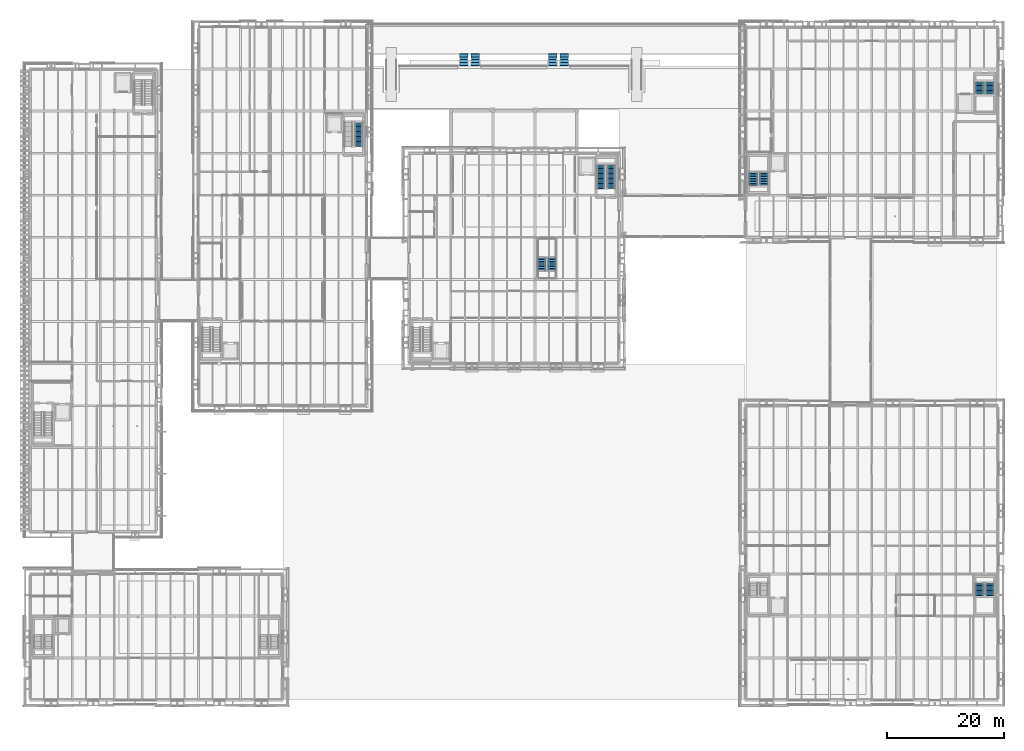
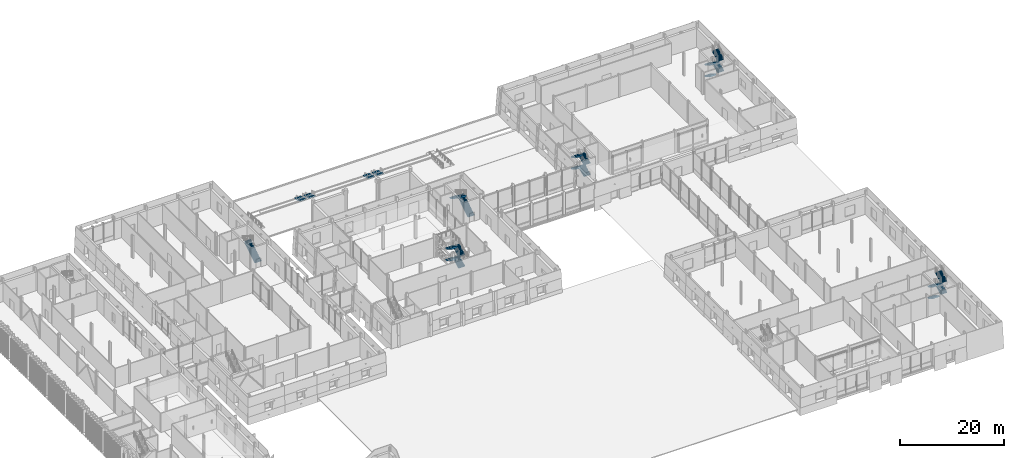
# One storey, part 84 of 120: 23 stair flights, 10 elements without a shape of their own.
"""IFC4 building model written with IfcOpenShell, lengths in metres."""

from ifc_helpers import new_model, si_unit, direction, frame, origin, place, context, subcontext, project, spatial, polyline, outline, extrude, material, type_object, element, aggregate, save


model = new_model("IFC4")

# Units and contexts
model_context = context("Model", 3, precision=1e-05, world=origin(), true_north=direction((0.0, 1.0)))
body_context = subcontext(model_context, "Body", "Model", "MODEL_VIEW")
ifc_project = project(units=[si_unit("LENGTHUNIT", "METRE"), si_unit("AREAUNIT", "SQUARE_METRE"), si_unit("VOLUMEUNIT", "CUBIC_METRE"), si_unit("PLANEANGLEUNIT", "RADIAN"), si_unit("MASSUNIT", "GRAM", prefix="KILO")], contexts=[model_context])

# Site, building, storey
site_placement = place(None, origin())
site = spatial("IfcSite", under=ifc_project, at=site_placement, CompositionType="ELEMENT")
building_placement = place(site_placement, origin())
building = spatial("IfcBuilding", under=site, at=building_placement, Name="Narikvali Park Central Library", CompositionType="ELEMENT")
storey_placement = place(building_placement, origin())
storey = spatial("IfcBuildingStorey", under=building, at=storey_placement, Name="L00", CompositionType="ELEMENT", Elevation=0.0)

# Stair, stair flights
ifc_material_1 = material(Name="Precast Terrazzo Concrete C40/50", Category="concrete")
stair_type_1 = type_object("IfcStairType", Name="Monumental Reading Room Feature Stair", PredefinedType="HALF_TURN_STAIR", material=ifc_material_1)
stair_1_placement = place(storey_placement, origin())
stair_1 = element("IfcStair", 1, at=stair_1_placement, inside=storey, type_object=stair_type_1, Name="L00 Monumental Reading Room Stair ST-13", PredefinedType="HALF_TURN_STAIR")
ifc_material_2 = material(Name="Precast concrete C40/50", Category="concrete")
stair_flight_type_1 = type_object("IfcStairFlightType", Name="Monumental Feature Stair Flight 1400", PredefinedType="STRAIGHT", material=ifc_material_2)
stair_flight_1_placement = place(storey_placement, frame((89.300048828125, 73.60009765625, 0.0), z_axis=(0.0, 0.0, 1.0), x_axis=(0.0, 1.0, 0.0)))
stair_flight_1 = element("IfcStairFlight", 2, at=stair_flight_1_placement, type_object=stair_flight_type_1, Name="ST-13 flight 1", NumberOfRisers=8, NumberOfTreads=7, PredefinedType="STRAIGHT", RiserHeight=0.16875, TreadLength=0.295, context=body_context, shape_type="SweptSolid", body=[
    extrude(outline(polyline([(-0.0400390625, -0.02490234375), (-0.0400390625, 0.0), (0.0, 0.0), (0.0, 0.168701171875), (0.294921875, 0.168701171875), (0.294921875, 0.33740234375), (0.590087890625, 0.33740234375), (0.590087890625, 0.50634765625), (0.885009765625, 0.50634765625), (0.885009765625, 0.675048828125), (1.179931640625, 0.675048828125), (1.179931640625, 0.84375), (1.47509765625, 0.84375), (1.47509765625, 1.012451171875), (1.77001953125, 1.012451171875), (1.77001953125, 1.18115234375), (2.06494140625, 1.18115234375), (2.06494140625, 1.35009765625), (2.110107421875, 1.35009765625), (2.110107421875, 0.950927734375), (2.06494140625, 0.950927734375), (0.402587890625, -0.02490234375), (-0.0400390625, -0.02490234375)])), frame((0.0, 0.699951171875, 0.0), z_axis=(0.0, -1.0, 0.0), x_axis=(1.0, 0.0, 0.0)), (0.0, 0.0, 1.0), 1.39990234375),
])
stair_flight_2_placement = place(storey_placement, frame((87.550048828125, 75.6650390625, 1.35009765625), z_axis=(0.0, 0.0, 1.0), x_axis=(0.0, -1.0, 0.0)))
stair_flight_2 = element("IfcStairFlight", 3, at=stair_flight_2_placement, type_object=stair_flight_type_1, Name="ST-13 flight 2", NumberOfRisers=8, NumberOfTreads=7, PredefinedType="STRAIGHT", RiserHeight=0.16875, TreadLength=0.295, context=body_context, shape_type="SweptSolid", body=[
    extrude(outline(polyline([(-0.0400390625, -0.02490234375), (-0.0400390625, 0.0), (0.0, 0.0), (0.0, 0.168701171875), (0.294921875, 0.168701171875), (0.294921875, 0.33740234375), (0.590087890625, 0.33740234375), (0.590087890625, 0.50634765625), (0.885009765625, 0.50634765625), (0.885009765625, 0.675048828125), (1.179931640625, 0.675048828125), (1.179931640625, 0.84375), (1.47509765625, 0.84375), (1.47509765625, 1.012451171875), (1.77001953125, 1.012451171875), (1.77001953125, 1.18115234375), (2.06494140625, 1.18115234375), (2.06494140625, 1.35009765625), (2.110107421875, 1.35009765625), (2.110107421875, 0.950927734375), (2.06494140625, 0.950927734375), (0.402587890625, -0.02490234375), (-0.0400390625, -0.02490234375)])), frame((0.0, 0.699951171875, 0.0), z_axis=(0.0, -1.0, 0.0), x_axis=(1.0, 0.0, 0.0)), (0.0, 0.0, 1.0), 1.39990234375),
])
stair_flight_3_placement = place(storey_placement, frame((89.300048828125, 73.60009765625, 2.699951171875), z_axis=(0.0, 0.0, 1.0), x_axis=(0.0, 1.0, 0.0)))
stair_flight_3 = element("IfcStairFlight", 4, at=stair_flight_3_placement, type_object=stair_flight_type_1, Name="ST-13 flight 3", NumberOfRisers=8, NumberOfTreads=7, PredefinedType="STRAIGHT", RiserHeight=0.16875, TreadLength=0.295, context=body_context, shape_type="SweptSolid", body=[
    extrude(outline(polyline([(-0.0400390625, -0.02490234375), (-0.0400390625, 0.0), (0.0, 0.0), (0.0, 0.168701171875), (0.294921875, 0.168701171875), (0.294921875, 0.33740234375), (0.590087890625, 0.33740234375), (0.590087890625, 0.50634765625), (0.885009765625, 0.50634765625), (0.885009765625, 0.675048828125), (1.179931640625, 0.675048828125), (1.179931640625, 0.84375), (1.47509765625, 0.84375), (1.47509765625, 1.012451171875), (1.77001953125, 1.012451171875), (1.77001953125, 1.18115234375), (2.06494140625, 1.18115234375), (2.06494140625, 1.35009765625), (2.110107421875, 1.35009765625), (2.110107421875, 0.950927734375), (2.06494140625, 0.950927734375), (0.402587890625, -0.02490234375), (-0.0400390625, -0.02490234375)])), frame((0.0, 0.699951171875, 0.0), z_axis=(0.0, -1.0, 0.0), x_axis=(1.0, 0.0, 0.0)), (0.0, 0.0, 1.0), 1.39990234375),
])
stair_flight_4_placement = place(storey_placement, frame((87.550048828125, 75.6650390625, 4.050048828125), z_axis=(0.0, 0.0, 1.0), x_axis=(0.0, -1.0, 0.0)))
stair_flight_4 = element("IfcStairFlight", 5, at=stair_flight_4_placement, type_object=stair_flight_type_1, Name="ST-13 flight 4", NumberOfRisers=8, NumberOfTreads=7, PredefinedType="STRAIGHT", RiserHeight=0.16875, TreadLength=0.295, context=body_context, shape_type="SweptSolid", body=[
    extrude(outline(polyline([(-0.0400390625, -0.02490234375), (-0.0400390625, 0.0), (0.0, 0.0), (0.0, 0.168701171875), (0.294921875, 0.168701171875), (0.294921875, 0.33740234375), (0.590087890625, 0.33740234375), (0.590087890625, 0.50634765625), (0.885009765625, 0.50634765625), (0.885009765625, 0.675048828125), (1.179931640625, 0.675048828125), (1.179931640625, 0.84375), (1.47509765625, 0.84375), (1.47509765625, 1.012451171875), (1.77001953125, 1.012451171875), (1.77001953125, 1.18115234375), (2.06494140625, 1.18115234375), (2.06494140625, 1.35009765625), (2.110107421875, 1.35009765625), (2.110107421875, 0.950927734375), (2.06494140625, 0.950927734375), (0.402587890625, -0.02490234375), (-0.0400390625, -0.02490234375)])), frame((0.0, 0.699951171875, 0.0), z_axis=(0.0, -1.0, 0.0), x_axis=(1.0, 0.0, 0.0)), (0.0, 0.0, 1.0), 1.39990234375),
])
aggregate(stair_1, [stair_flight_1, stair_flight_2, stair_flight_3, stair_flight_4])

# Stair, stair flight
ifc_material_3 = material(Name="Bush-Hammered White Limestone over Concrete C40/50", Category="masonry")
stair_type_2 = type_object("IfcStairType", Name="Monumental Forecourt Stone Entrance Stair 1440", PredefinedType="STRAIGHT_RUN_STAIR", material=ifc_material_3)
stair_2_placement = place(storey_placement, origin())
stair_2 = element("IfcStair", 6, at=stair_2_placement, inside=storey, type_object=stair_type_2, Name="Monumental Forecourt West Outer Entrance Stair ST-14", PredefinedType="STRAIGHT_RUN_STAIR")
stair_flight_type_2 = type_object("IfcStairFlightType", Name="Monumental Forecourt Stone Stair Flight 1440", PredefinedType="STRAIGHT", material=ifc_material_3)
stair_flight_5_placement = place(storey_placement, frame((74.199951171875, 110.580078125, -0.72509765625), z_axis=(0.0, 0.0, 1.0), x_axis=(0.0, -1.0, 0.0)))
stair_flight_5 = element("IfcStairFlight", 7, at=stair_flight_5_placement, type_object=stair_flight_type_2, Name="ST-14 flight 1", NumberOfRisers=5, NumberOfTreads=4, PredefinedType="STRAIGHT", RiserHeight=0.145, TreadLength=0.5, context=body_context, shape_type="SweptSolid", body=[
    extrude(outline(polyline([(-0.0400390625, -0.02490234375), (-0.0400390625, 0.0), (0.0, 0.0), (0.0, 0.14501953125), (0.5, 0.14501953125), (0.5, 0.2900390625), (1.0, 0.2900390625), (1.0, 0.43505859375), (1.5, 0.43505859375), (1.5, 0.580078125), (2.0, 0.580078125), (2.0, 0.72509765625), (2.044921875, 0.72509765625), (2.044921875, 0.434326171875), (2.0, 0.434326171875), (0.502197265625, -0.02490234375), (-0.0400390625, -0.02490234375)])), frame((0.0, 0.719970703125, 0.0), z_axis=(0.0, -1.0, 0.0), x_axis=(1.0, 0.0, 0.0)), (0.0, 0.0, 1.0), 1.43994140625),
])
aggregate(stair_2, [stair_flight_5])

stair_3_placement = place(storey_placement, origin())
stair_3 = element("IfcStair", 8, at=stair_3_placement, inside=storey, type_object=stair_type_2, Name="Monumental Forecourt West Inner Entrance Stair ST-15", PredefinedType="STRAIGHT_RUN_STAIR")
stair_flight_6_placement = place(storey_placement, frame((76.199951171875, 110.580078125, -0.72509765625), z_axis=(0.0, 0.0, 1.0), x_axis=(0.0, -1.0, 0.0)))
stair_flight_6 = element("IfcStairFlight", 9, at=stair_flight_6_placement, type_object=stair_flight_type_2, Name="ST-15 flight 1", NumberOfRisers=5, NumberOfTreads=4, PredefinedType="STRAIGHT", RiserHeight=0.145, TreadLength=0.5, context=body_context, shape_type="SweptSolid", body=[
    extrude(outline(polyline([(-0.0400390625, -0.02490234375), (-0.0400390625, 0.0), (0.0, 0.0), (0.0, 0.14501953125), (0.5, 0.14501953125), (0.5, 0.2900390625), (1.0, 0.2900390625), (1.0, 0.43505859375), (1.5, 0.43505859375), (1.5, 0.580078125), (2.0, 0.580078125), (2.0, 0.72509765625), (2.044921875, 0.72509765625), (2.044921875, 0.434326171875), (2.0, 0.434326171875), (0.502197265625, -0.02490234375), (-0.0400390625, -0.02490234375)])), frame((0.0, 0.719970703125, 0.0), z_axis=(0.0, -1.0, 0.0), x_axis=(1.0, 0.0, 0.0)), (0.0, 0.0, 1.0), 1.43994140625),
])
aggregate(stair_3, [stair_flight_6])

stair_4_placement = place(storey_placement, origin())
stair_4 = element("IfcStair", 10, at=stair_4_placement, inside=storey, type_object=stair_type_2, Name="Monumental Forecourt East Inner Entrance Stair ST-16", PredefinedType="STRAIGHT_RUN_STAIR")
stair_flight_7_placement = place(storey_placement, frame((89.39990234375, 110.580078125, -0.72509765625), z_axis=(0.0, 0.0, 1.0), x_axis=(0.0, -1.0, 0.0)))
stair_flight_7 = element("IfcStairFlight", 11, at=stair_flight_7_placement, type_object=stair_flight_type_2, Name="ST-16 flight 1", NumberOfRisers=5, NumberOfTreads=4, PredefinedType="STRAIGHT", RiserHeight=0.145, TreadLength=0.5, context=body_context, shape_type="SweptSolid", body=[
    extrude(outline(polyline([(-0.0400390625, -0.02490234375), (-0.0400390625, 0.0), (0.0, 0.0), (0.0, 0.14501953125), (0.5, 0.14501953125), (0.5, 0.2900390625), (1.0, 0.2900390625), (1.0, 0.43505859375), (1.5, 0.43505859375), (1.5, 0.580078125), (2.0, 0.580078125), (2.0, 0.72509765625), (2.044921875, 0.72509765625), (2.044921875, 0.434326171875), (2.0, 0.434326171875), (0.502197265625, -0.02490234375), (-0.0400390625, -0.02490234375)])), frame((0.0, 0.719970703125, 0.0), z_axis=(0.0, -1.0, 0.0), x_axis=(1.0, 0.0, 0.0)), (0.0, 0.0, 1.0), 1.43994140625),
])
aggregate(stair_4, [stair_flight_7])

stair_5_placement = place(storey_placement, origin())
stair_5 = element("IfcStair", 12, at=stair_5_placement, inside=storey, type_object=stair_type_2, Name="Monumental Forecourt East Outer Entrance Stair ST-17", PredefinedType="STRAIGHT_RUN_STAIR")
stair_flight_8_placement = place(storey_placement, frame((91.39990234375, 110.580078125, -0.72509765625), z_axis=(0.0, 0.0, 1.0), x_axis=(0.0, -1.0, 0.0)))
stair_flight_8 = element("IfcStairFlight", 13, at=stair_flight_8_placement, type_object=stair_flight_type_2, Name="ST-17 flight 1", NumberOfRisers=5, NumberOfTreads=4, PredefinedType="STRAIGHT", RiserHeight=0.145, TreadLength=0.5, context=body_context, shape_type="SweptSolid", body=[
    extrude(outline(polyline([(-0.0400390625, -0.02490234375), (-0.0400390625, 0.0), (0.0, 0.0), (0.0, 0.14501953125), (0.5, 0.14501953125), (0.5, 0.2900390625), (1.0, 0.2900390625), (1.0, 0.43505859375), (1.5, 0.43505859375), (1.5, 0.580078125), (2.0, 0.580078125), (2.0, 0.72509765625), (2.044921875, 0.72509765625), (2.044921875, 0.434326171875), (2.0, 0.434326171875), (0.502197265625, -0.02490234375), (-0.0400390625, -0.02490234375)])), frame((0.0, 0.719970703125, 0.0), z_axis=(0.0, -1.0, 0.0), x_axis=(1.0, 0.0, 0.0)), (0.0, 0.0, 1.0), 1.43994140625),
])
aggregate(stair_5, [stair_flight_8])

# Stair, stair flights
ifc_material_4 = material(Name="Concrete C35/45", Category="concrete")
stair_type_3 = type_object("IfcStairType", Name="Core Enclosed Two-Flight Exit Stair", PredefinedType="HALF_TURN_STAIR", material=ifc_material_4)
stair_6_placement = place(storey_placement, origin())
stair_6 = element("IfcStair", 14, at=stair_6_placement, inside=storey, type_object=stair_type_3, Name="L00 Exit Stair ST-02", PredefinedType="HALF_TURN_STAIR")
stair_flight_type_3 = type_object("IfcStairFlightType", Name="Precast Concrete Stair Flight 1420", PredefinedType="STRAIGHT", material=ifc_material_2)
stair_flight_9_placement = place(storey_placement, frame((99.43994140625, 87.550048828125, 0.0), z_axis=(0.0, 0.0, 1.0), x_axis=(0.0, 1.0, 0.0)))
stair_flight_9 = element("IfcStairFlight", 15, at=stair_flight_9_placement, type_object=stair_flight_type_3, Name="ST-02 flight 1", NumberOfRisers=15, NumberOfTreads=14, PredefinedType="STRAIGHT", RiserHeight=0.18, TreadLength=0.285, context=body_context, shape_type="SweptSolid", body=[
    extrude(outline(polyline([(-0.0400390625, -0.02490234375), (-0.0400390625, 0.0), (0.0, 0.0), (0.0, 0.179931640625), (0.284912109375, 0.179931640625), (0.284912109375, 0.360107421875), (0.570068359375, 0.360107421875), (0.570068359375, 0.5400390625), (0.85498046875, 0.5400390625), (0.85498046875, 0.719970703125), (1.139892578125, 0.719970703125), (1.139892578125, 0.89990234375), (1.425048828125, 0.89990234375), (1.425048828125, 1.080078125), (1.7099609375, 1.080078125), (1.7099609375, 1.260009765625), (1.9951171875, 1.260009765625), (1.9951171875, 1.43994140625), (2.280029296875, 1.43994140625), (2.280029296875, 1.6201171875), (2.56494140625, 1.6201171875), (2.56494140625, 1.800048828125), (2.85009765625, 1.800048828125), (2.85009765625, 1.97998046875), (3.135009765625, 1.97998046875), (3.135009765625, 2.159912109375), (3.419921875, 2.159912109375), (3.419921875, 2.340087890625), (3.705078125, 2.340087890625), (3.705078125, 2.52001953125), (3.989990234375, 2.52001953125), (3.989990234375, 2.699951171875), (4.034912109375, 2.699951171875), (4.034912109375, 2.30712890625), (3.989990234375, 2.30712890625), (0.3369140625, -0.02490234375), (-0.0400390625, -0.02490234375)])), frame((0.0, 0.7099609375, 0.0), z_axis=(0.0, -1.0, 0.0), x_axis=(1.0, 0.0, 0.0)), (0.0, 0.0, 1.0), 1.419921875),
])
stair_flight_10_placement = place(storey_placement, frame((97.659912109375, 91.5400390625, 2.699951171875), z_axis=(0.0, 0.0, 1.0), x_axis=(0.0, -1.0, 0.0)))
stair_flight_10 = element("IfcStairFlight", 16, at=stair_flight_10_placement, type_object=stair_flight_type_3, Name="ST-02 flight 2", NumberOfRisers=15, NumberOfTreads=14, PredefinedType="STRAIGHT", RiserHeight=0.18, TreadLength=0.285, context=body_context, shape_type="SweptSolid", body=[
    extrude(outline(polyline([(-0.0400390625, -0.02490234375), (-0.0400390625, 0.0), (0.0, 0.0), (0.0, 0.179931640625), (0.284912109375, 0.179931640625), (0.284912109375, 0.360107421875), (0.570068359375, 0.360107421875), (0.570068359375, 0.5400390625), (0.85498046875, 0.5400390625), (0.85498046875, 0.719970703125), (1.139892578125, 0.719970703125), (1.139892578125, 0.89990234375), (1.425048828125, 0.89990234375), (1.425048828125, 1.080078125), (1.7099609375, 1.080078125), (1.7099609375, 1.260009765625), (1.9951171875, 1.260009765625), (1.9951171875, 1.43994140625), (2.280029296875, 1.43994140625), (2.280029296875, 1.6201171875), (2.56494140625, 1.6201171875), (2.56494140625, 1.800048828125), (2.85009765625, 1.800048828125), (2.85009765625, 1.97998046875), (3.135009765625, 1.97998046875), (3.135009765625, 2.159912109375), (3.419921875, 2.159912109375), (3.419921875, 2.340087890625), (3.705078125, 2.340087890625), (3.705078125, 2.52001953125), (3.989990234375, 2.52001953125), (3.989990234375, 2.699951171875), (4.034912109375, 2.699951171875), (4.034912109375, 2.30712890625), (3.989990234375, 2.30712890625), (0.3369140625, -0.02490234375), (-0.0400390625, -0.02490234375)])), frame((0.0, 0.7099609375, 0.0), z_axis=(0.0, -1.0, 0.0), x_axis=(1.0, 0.0, 0.0)), (0.0, 0.0, 1.0), 1.419921875),
])
aggregate(stair_6, [stair_flight_9, stair_flight_10])

stair_7_placement = place(storey_placement, origin())
stair_7 = element("IfcStair", 17, at=stair_7_placement, inside=storey, type_object=stair_type_3, Name="L00 Exit Stair ST-05", PredefinedType="HALF_TURN_STAIR")
stair_flight_11_placement = place(storey_placement, frame((125.5400390625, 88.14990234375, 0.0), z_axis=(0.0, 0.0, 1.0), x_axis=(0.0, 1.0, 0.0)))
stair_flight_11 = element("IfcStairFlight", 18, at=stair_flight_11_placement, type_object=stair_flight_type_3, Name="ST-05 flight 1", NumberOfRisers=8, NumberOfTreads=7, PredefinedType="STRAIGHT", RiserHeight=0.16875, TreadLength=0.285, context=body_context, shape_type="SweptSolid", body=[
    extrude(outline(polyline([(-0.0400390625, -0.02490234375), (-0.0400390625, 0.0), (0.0, 0.0), (0.0, 0.168701171875), (0.284912109375, 0.168701171875), (0.284912109375, 0.33740234375), (0.570068359375, 0.33740234375), (0.570068359375, 0.50634765625), (0.85498046875, 0.50634765625), (0.85498046875, 0.675048828125), (1.139892578125, 0.675048828125), (1.139892578125, 0.84375), (1.425048828125, 0.84375), (1.425048828125, 1.012451171875), (1.7099609375, 1.012451171875), (1.7099609375, 1.18115234375), (1.9951171875, 1.18115234375), (1.9951171875, 1.35009765625), (2.0400390625, 1.35009765625), (2.0400390625, 0.97216796875), (1.9951171875, 0.97216796875), (0.353271484375, -0.02490234375), (-0.0400390625, -0.02490234375)])), frame((0.0, 0.7099609375, 0.0), z_axis=(0.0, -1.0, 0.0), x_axis=(1.0, 0.0, 0.0)), (0.0, 0.0, 1.0), 1.419921875),
])
stair_flight_12_placement = place(storey_placement, frame((123.760009765625, 90.14501953125, 1.35009765625), z_axis=(0.0, 0.0, 1.0), x_axis=(0.0, -1.0, 0.0)))
stair_flight_12 = element("IfcStairFlight", 19, at=stair_flight_12_placement, type_object=stair_flight_type_3, Name="ST-05 flight 2", NumberOfRisers=8, NumberOfTreads=7, PredefinedType="STRAIGHT", RiserHeight=0.16875, TreadLength=0.285, context=body_context, shape_type="SweptSolid", body=[
    extrude(outline(polyline([(-0.0400390625, -0.02490234375), (-0.0400390625, 0.0), (0.0, 0.0), (0.0, 0.168701171875), (0.284912109375, 0.168701171875), (0.284912109375, 0.33740234375), (0.570068359375, 0.33740234375), (0.570068359375, 0.50634765625), (0.85498046875, 0.50634765625), (0.85498046875, 0.675048828125), (1.139892578125, 0.675048828125), (1.139892578125, 0.84375), (1.425048828125, 0.84375), (1.425048828125, 1.012451171875), (1.7099609375, 1.012451171875), (1.7099609375, 1.18115234375), (1.9951171875, 1.18115234375), (1.9951171875, 1.35009765625), (2.0400390625, 1.35009765625), (2.0400390625, 0.97216796875), (1.9951171875, 0.97216796875), (0.353271484375, -0.02490234375), (-0.0400390625, -0.02490234375)])), frame((0.0, 0.7099609375, 0.0), z_axis=(0.0, -1.0, 0.0), x_axis=(1.0, 0.0, 0.0)), (0.0, 0.0, 1.0), 1.419921875),
])
stair_flight_13_placement = place(storey_placement, frame((125.5400390625, 88.14990234375, 2.699951171875), z_axis=(0.0, 0.0, 1.0), x_axis=(0.0, 1.0, 0.0)))
stair_flight_13 = element("IfcStairFlight", 20, at=stair_flight_13_placement, type_object=stair_flight_type_3, Name="ST-05 flight 3", NumberOfRisers=8, NumberOfTreads=7, PredefinedType="STRAIGHT", RiserHeight=0.16875, TreadLength=0.285, context=body_context, shape_type="SweptSolid", body=[
    extrude(outline(polyline([(-0.0400390625, -0.02490234375), (-0.0400390625, 0.0), (0.0, 0.0), (0.0, 0.168701171875), (0.284912109375, 0.168701171875), (0.284912109375, 0.33740234375), (0.570068359375, 0.33740234375), (0.570068359375, 0.50634765625), (0.85498046875, 0.50634765625), (0.85498046875, 0.675048828125), (1.139892578125, 0.675048828125), (1.139892578125, 0.84375), (1.425048828125, 0.84375), (1.425048828125, 1.012451171875), (1.7099609375, 1.012451171875), (1.7099609375, 1.18115234375), (1.9951171875, 1.18115234375), (1.9951171875, 1.35009765625), (2.0400390625, 1.35009765625), (2.0400390625, 0.97216796875), (1.9951171875, 0.97216796875), (0.353271484375, -0.02490234375), (-0.0400390625, -0.02490234375)])), frame((0.0, 0.7099609375, 0.0), z_axis=(0.0, -1.0, 0.0), x_axis=(1.0, 0.0, 0.0)), (0.0, 0.0, 1.0), 1.419921875),
])
stair_flight_14_placement = place(storey_placement, frame((123.760009765625, 90.14501953125, 4.050048828125), z_axis=(0.0, 0.0, 1.0), x_axis=(0.0, -1.0, 0.0)))
stair_flight_14 = element("IfcStairFlight", 21, at=stair_flight_14_placement, type_object=stair_flight_type_3, Name="ST-05 flight 4", NumberOfRisers=8, NumberOfTreads=7, PredefinedType="STRAIGHT", RiserHeight=0.16875, TreadLength=0.285, context=body_context, shape_type="SweptSolid", body=[
    extrude(outline(polyline([(-0.0400390625, -0.02490234375), (-0.0400390625, 0.0), (0.0, 0.0), (0.0, 0.168701171875), (0.284912109375, 0.168701171875), (0.284912109375, 0.33740234375), (0.570068359375, 0.33740234375), (0.570068359375, 0.50634765625), (0.85498046875, 0.50634765625), (0.85498046875, 0.675048828125), (1.139892578125, 0.675048828125), (1.139892578125, 0.84375), (1.425048828125, 0.84375), (1.425048828125, 1.012451171875), (1.7099609375, 1.012451171875), (1.7099609375, 1.18115234375), (1.9951171875, 1.18115234375), (1.9951171875, 1.35009765625), (2.0400390625, 1.35009765625), (2.0400390625, 0.97216796875), (1.9951171875, 0.97216796875), (0.353271484375, -0.02490234375), (-0.0400390625, -0.02490234375)])), frame((0.0, 0.7099609375, 0.0), z_axis=(0.0, -1.0, 0.0), x_axis=(1.0, 0.0, 0.0)), (0.0, 0.0, 1.0), 1.419921875),
])
aggregate(stair_7, [stair_flight_11, stair_flight_12, stair_flight_13, stair_flight_14])

stair_8_placement = place(storey_placement, origin())
stair_8 = element("IfcStair", 22, at=stair_8_placement, inside=storey, type_object=stair_type_3, Name="L00 Exit Stair ST-06", PredefinedType="HALF_TURN_STAIR")
stair_flight_15_placement = place(storey_placement, frame((162.4599609375, 105.75, 0.0), z_axis=(0.0, 0.0, 1.0), x_axis=(0.0, -1.0, 0.0)))
stair_flight_15 = element("IfcStairFlight", 23, at=stair_flight_15_placement, type_object=stair_flight_type_3, Name="ST-06 flight 1", NumberOfRisers=8, NumberOfTreads=7, PredefinedType="STRAIGHT", RiserHeight=0.16875, TreadLength=0.285, context=body_context, shape_type="SweptSolid", body=[
    extrude(outline(polyline([(-0.0400390625, -0.02490234375), (-0.0400390625, 0.0), (0.0, 0.0), (0.0, 0.168701171875), (0.284912109375, 0.168701171875), (0.284912109375, 0.33740234375), (0.570068359375, 0.33740234375), (0.570068359375, 0.50634765625), (0.85498046875, 0.50634765625), (0.85498046875, 0.675048828125), (1.139892578125, 0.675048828125), (1.139892578125, 0.84375), (1.425048828125, 0.84375), (1.425048828125, 1.012451171875), (1.7099609375, 1.012451171875), (1.7099609375, 1.18115234375), (1.9951171875, 1.18115234375), (1.9951171875, 1.35009765625), (2.0400390625, 1.35009765625), (2.0400390625, 0.97216796875), (1.9951171875, 0.97216796875), (0.353271484375, -0.02490234375), (-0.0400390625, -0.02490234375)])), frame((0.0, 0.7099609375, 0.0), z_axis=(0.0, -1.0, 0.0), x_axis=(1.0, 0.0, 0.0)), (0.0, 0.0, 1.0), 1.419921875),
])
stair_flight_16_placement = place(storey_placement, frame((164.239990234375, 103.7548828125, 1.35009765625), z_axis=(0.0, 0.0, 1.0), x_axis=(0.0, 1.0, 0.0)))
stair_flight_16 = element("IfcStairFlight", 24, at=stair_flight_16_placement, type_object=stair_flight_type_3, Name="ST-06 flight 2", NumberOfRisers=8, NumberOfTreads=7, PredefinedType="STRAIGHT", RiserHeight=0.16875, TreadLength=0.285, context=body_context, shape_type="SweptSolid", body=[
    extrude(outline(polyline([(-0.0400390625, -0.02490234375), (-0.0400390625, 0.0), (0.0, 0.0), (0.0, 0.168701171875), (0.284912109375, 0.168701171875), (0.284912109375, 0.33740234375), (0.570068359375, 0.33740234375), (0.570068359375, 0.50634765625), (0.85498046875, 0.50634765625), (0.85498046875, 0.675048828125), (1.139892578125, 0.675048828125), (1.139892578125, 0.84375), (1.425048828125, 0.84375), (1.425048828125, 1.012451171875), (1.7099609375, 1.012451171875), (1.7099609375, 1.18115234375), (1.9951171875, 1.18115234375), (1.9951171875, 1.35009765625), (2.0400390625, 1.35009765625), (2.0400390625, 0.97216796875), (1.9951171875, 0.97216796875), (0.353271484375, -0.02490234375), (-0.0400390625, -0.02490234375)])), frame((0.0, 0.7099609375, 0.0), z_axis=(0.0, -1.0, 0.0), x_axis=(1.0, 0.0, 0.0)), (0.0, 0.0, 1.0), 1.419921875),
])
stair_flight_17_placement = place(storey_placement, frame((162.4599609375, 105.75, 2.699951171875), z_axis=(0.0, 0.0, 1.0), x_axis=(0.0, -1.0, 0.0)))
stair_flight_17 = element("IfcStairFlight", 25, at=stair_flight_17_placement, type_object=stair_flight_type_3, Name="ST-06 flight 3", NumberOfRisers=8, NumberOfTreads=7, PredefinedType="STRAIGHT", RiserHeight=0.16875, TreadLength=0.285, context=body_context, shape_type="SweptSolid", body=[
    extrude(outline(polyline([(-0.0400390625, -0.02490234375), (-0.0400390625, 0.0), (0.0, 0.0), (0.0, 0.168701171875), (0.284912109375, 0.168701171875), (0.284912109375, 0.33740234375), (0.570068359375, 0.33740234375), (0.570068359375, 0.50634765625), (0.85498046875, 0.50634765625), (0.85498046875, 0.675048828125), (1.139892578125, 0.675048828125), (1.139892578125, 0.84375), (1.425048828125, 0.84375), (1.425048828125, 1.012451171875), (1.7099609375, 1.012451171875), (1.7099609375, 1.18115234375), (1.9951171875, 1.18115234375), (1.9951171875, 1.35009765625), (2.0400390625, 1.35009765625), (2.0400390625, 0.97216796875), (1.9951171875, 0.97216796875), (0.353271484375, -0.02490234375), (-0.0400390625, -0.02490234375)])), frame((0.0, 0.7099609375, 0.0), z_axis=(0.0, -1.0, 0.0), x_axis=(1.0, 0.0, 0.0)), (0.0, 0.0, 1.0), 1.419921875),
])
stair_flight_18_placement = place(storey_placement, frame((164.239990234375, 103.7548828125, 4.050048828125), z_axis=(0.0, 0.0, 1.0), x_axis=(0.0, 1.0, 0.0)))
stair_flight_18 = element("IfcStairFlight", 26, at=stair_flight_18_placement, type_object=stair_flight_type_3, Name="ST-06 flight 4", NumberOfRisers=8, NumberOfTreads=7, PredefinedType="STRAIGHT", RiserHeight=0.16875, TreadLength=0.285, context=body_context, shape_type="SweptSolid", body=[
    extrude(outline(polyline([(-0.0400390625, -0.02490234375), (-0.0400390625, 0.0), (0.0, 0.0), (0.0, 0.168701171875), (0.284912109375, 0.168701171875), (0.284912109375, 0.33740234375), (0.570068359375, 0.33740234375), (0.570068359375, 0.50634765625), (0.85498046875, 0.50634765625), (0.85498046875, 0.675048828125), (1.139892578125, 0.675048828125), (1.139892578125, 0.84375), (1.425048828125, 0.84375), (1.425048828125, 1.012451171875), (1.7099609375, 1.012451171875), (1.7099609375, 1.18115234375), (1.9951171875, 1.18115234375), (1.9951171875, 1.35009765625), (2.0400390625, 1.35009765625), (2.0400390625, 0.97216796875), (1.9951171875, 0.97216796875), (0.353271484375, -0.02490234375), (-0.0400390625, -0.02490234375)])), frame((0.0, 0.7099609375, 0.0), z_axis=(0.0, -1.0, 0.0), x_axis=(1.0, 0.0, 0.0)), (0.0, 0.0, 1.0), 1.419921875),
])
aggregate(stair_8, [stair_flight_15, stair_flight_16, stair_flight_17, stair_flight_18])

# Stair, stair flight
stair_9_placement = place(storey_placement, origin())
stair_9 = element("IfcStair", 27, at=stair_9_placement, inside=storey, type_object=stair_type_3, Name="L00 Exit Stair ST-08", PredefinedType="HALF_TURN_STAIR")
stair_flight_19_placement = place(storey_placement, frame((56.239990234375, 94.75, 0.0), z_axis=(0.0, 0.0, 1.0), x_axis=(0.0, 1.0, 0.0)))
stair_flight_19 = element("IfcStairFlight", 28, at=stair_flight_19_placement, type_object=stair_flight_type_3, Name="ST-08 flight 1", NumberOfRisers=15, NumberOfTreads=14, PredefinedType="STRAIGHT", RiserHeight=0.18, TreadLength=0.285, context=body_context, shape_type="SweptSolid", body=[
    extrude(outline(polyline([(-0.0400390625, -0.02490234375), (-0.0400390625, 0.0), (0.0, 0.0), (0.0, 0.179931640625), (0.284912109375, 0.179931640625), (0.284912109375, 0.360107421875), (0.570068359375, 0.360107421875), (0.570068359375, 0.5400390625), (0.85498046875, 0.5400390625), (0.85498046875, 0.719970703125), (1.139892578125, 0.719970703125), (1.139892578125, 0.89990234375), (1.425048828125, 0.89990234375), (1.425048828125, 1.080078125), (1.7099609375, 1.080078125), (1.7099609375, 1.260009765625), (1.9951171875, 1.260009765625), (1.9951171875, 1.43994140625), (2.280029296875, 1.43994140625), (2.280029296875, 1.6201171875), (2.56494140625, 1.6201171875), (2.56494140625, 1.800048828125), (2.85009765625, 1.800048828125), (2.85009765625, 1.97998046875), (3.135009765625, 1.97998046875), (3.135009765625, 2.159912109375), (3.419921875, 2.159912109375), (3.419921875, 2.340087890625), (3.705078125, 2.340087890625), (3.705078125, 2.52001953125), (3.989990234375, 2.52001953125), (3.989990234375, 2.699951171875), (4.034912109375, 2.699951171875), (4.034912109375, 2.30712890625), (3.989990234375, 2.30712890625), (0.3369140625, -0.02490234375), (-0.0400390625, -0.02490234375)])), frame((0.0, 0.7099609375, 0.0), z_axis=(0.0, -1.0, 0.0), x_axis=(1.0, 0.0, 0.0)), (0.0, 0.0, 1.0), 1.419921875),
])
aggregate(stair_9, [stair_flight_19])

# Stair, stair flights
stair_10_placement = place(storey_placement, origin())
stair_10 = element("IfcStair", 29, at=stair_10_placement, inside=storey, type_object=stair_type_3, Name="L00 Exit Stair ST-12", PredefinedType="HALF_TURN_STAIR")
stair_flight_20_placement = place(storey_placement, frame((162.4599609375, 19.89990234375, 0.0), z_axis=(0.0, 0.0, 1.0), x_axis=(0.0, -1.0, 0.0)))
stair_flight_20 = element("IfcStairFlight", 30, at=stair_flight_20_placement, type_object=stair_flight_type_3, Name="ST-12 flight 1", NumberOfRisers=8, NumberOfTreads=7, PredefinedType="STRAIGHT", RiserHeight=0.16875, TreadLength=0.285, context=body_context, shape_type="SweptSolid", body=[
    extrude(outline(polyline([(-0.0400390625, -0.02490234375), (-0.0400390625, 0.0), (0.0, 0.0), (0.0, 0.168701171875), (0.284912109375, 0.168701171875), (0.284912109375, 0.33740234375), (0.570068359375, 0.33740234375), (0.570068359375, 0.50634765625), (0.85498046875, 0.50634765625), (0.85498046875, 0.675048828125), (1.139892578125, 0.675048828125), (1.139892578125, 0.84375), (1.425048828125, 0.84375), (1.425048828125, 1.012451171875), (1.7099609375, 1.012451171875), (1.7099609375, 1.18115234375), (1.9951171875, 1.18115234375), (1.9951171875, 1.35009765625), (2.0400390625, 1.35009765625), (2.0400390625, 0.97216796875), (1.9951171875, 0.97216796875), (0.353271484375, -0.02490234375), (-0.0400390625, -0.02490234375)])), frame((0.0, 0.7099609375, 0.0), z_axis=(0.0, -1.0, 0.0), x_axis=(1.0, 0.0, 0.0)), (0.0, 0.0, 1.0), 1.419921875),
])
stair_flight_21_placement = place(storey_placement, frame((164.239990234375, 17.905029296875, 1.35009765625), z_axis=(0.0, 0.0, 1.0), x_axis=(0.0, 1.0, 0.0)))
stair_flight_21 = element("IfcStairFlight", 31, at=stair_flight_21_placement, type_object=stair_flight_type_3, Name="ST-12 flight 2", NumberOfRisers=8, NumberOfTreads=7, PredefinedType="STRAIGHT", RiserHeight=0.16875, TreadLength=0.285, context=body_context, shape_type="SweptSolid", body=[
    extrude(outline(polyline([(-0.0400390625, -0.02490234375), (-0.0400390625, 0.0), (0.0, 0.0), (0.0, 0.168701171875), (0.284912109375, 0.168701171875), (0.284912109375, 0.33740234375), (0.570068359375, 0.33740234375), (0.570068359375, 0.50634765625), (0.85498046875, 0.50634765625), (0.85498046875, 0.675048828125), (1.139892578125, 0.675048828125), (1.139892578125, 0.84375), (1.425048828125, 0.84375), (1.425048828125, 1.012451171875), (1.7099609375, 1.012451171875), (1.7099609375, 1.18115234375), (1.9951171875, 1.18115234375), (1.9951171875, 1.35009765625), (2.0400390625, 1.35009765625), (2.0400390625, 0.97216796875), (1.9951171875, 0.97216796875), (0.353271484375, -0.02490234375), (-0.0400390625, -0.02490234375)])), frame((0.0, 0.7099609375, 0.0), z_axis=(0.0, -1.0, 0.0), x_axis=(1.0, 0.0, 0.0)), (0.0, 0.0, 1.0), 1.419921875),
])
stair_flight_22_placement = place(storey_placement, frame((162.4599609375, 19.89990234375, 2.699951171875), z_axis=(0.0, 0.0, 1.0), x_axis=(0.0, -1.0, 0.0)))
stair_flight_22 = element("IfcStairFlight", 32, at=stair_flight_22_placement, type_object=stair_flight_type_3, Name="ST-12 flight 3", NumberOfRisers=8, NumberOfTreads=7, PredefinedType="STRAIGHT", RiserHeight=0.16875, TreadLength=0.285, context=body_context, shape_type="SweptSolid", body=[
    extrude(outline(polyline([(-0.0400390625, -0.02490234375), (-0.0400390625, 0.0), (0.0, 0.0), (0.0, 0.168701171875), (0.284912109375, 0.168701171875), (0.284912109375, 0.33740234375), (0.570068359375, 0.33740234375), (0.570068359375, 0.50634765625), (0.85498046875, 0.50634765625), (0.85498046875, 0.675048828125), (1.139892578125, 0.675048828125), (1.139892578125, 0.84375), (1.425048828125, 0.84375), (1.425048828125, 1.012451171875), (1.7099609375, 1.012451171875), (1.7099609375, 1.18115234375), (1.9951171875, 1.18115234375), (1.9951171875, 1.35009765625), (2.0400390625, 1.35009765625), (2.0400390625, 0.97216796875), (1.9951171875, 0.97216796875), (0.353271484375, -0.02490234375), (-0.0400390625, -0.02490234375)])), frame((0.0, 0.7099609375, 0.0), z_axis=(0.0, -1.0, 0.0), x_axis=(1.0, 0.0, 0.0)), (0.0, 0.0, 1.0), 1.419921875),
])
stair_flight_23_placement = place(storey_placement, frame((164.239990234375, 17.905029296875, 4.050048828125), z_axis=(0.0, 0.0, 1.0), x_axis=(0.0, 1.0, 0.0)))
stair_flight_23 = element("IfcStairFlight", 33, at=stair_flight_23_placement, type_object=stair_flight_type_3, Name="ST-12 flight 4", NumberOfRisers=8, NumberOfTreads=7, PredefinedType="STRAIGHT", RiserHeight=0.16875, TreadLength=0.285, context=body_context, shape_type="SweptSolid", body=[
    extrude(outline(polyline([(-0.0400390625, -0.02490234375), (-0.0400390625, 0.0), (0.0, 0.0), (0.0, 0.168701171875), (0.284912109375, 0.168701171875), (0.284912109375, 0.33740234375), (0.570068359375, 0.33740234375), (0.570068359375, 0.50634765625), (0.85498046875, 0.50634765625), (0.85498046875, 0.675048828125), (1.139892578125, 0.675048828125), (1.139892578125, 0.84375), (1.425048828125, 0.84375), (1.425048828125, 1.012451171875), (1.7099609375, 1.012451171875), (1.7099609375, 1.18115234375), (1.9951171875, 1.18115234375), (1.9951171875, 1.35009765625), (2.0400390625, 1.35009765625), (2.0400390625, 0.97216796875), (1.9951171875, 0.97216796875), (0.353271484375, -0.02490234375), (-0.0400390625, -0.02490234375)])), frame((0.0, 0.7099609375, 0.0), z_axis=(0.0, -1.0, 0.0), x_axis=(1.0, 0.0, 0.0)), (0.0, 0.0, 1.0), 1.419921875),
])
aggregate(stair_10, [stair_flight_20, stair_flight_21, stair_flight_22, stair_flight_23])

save(model, "model.ifc")
